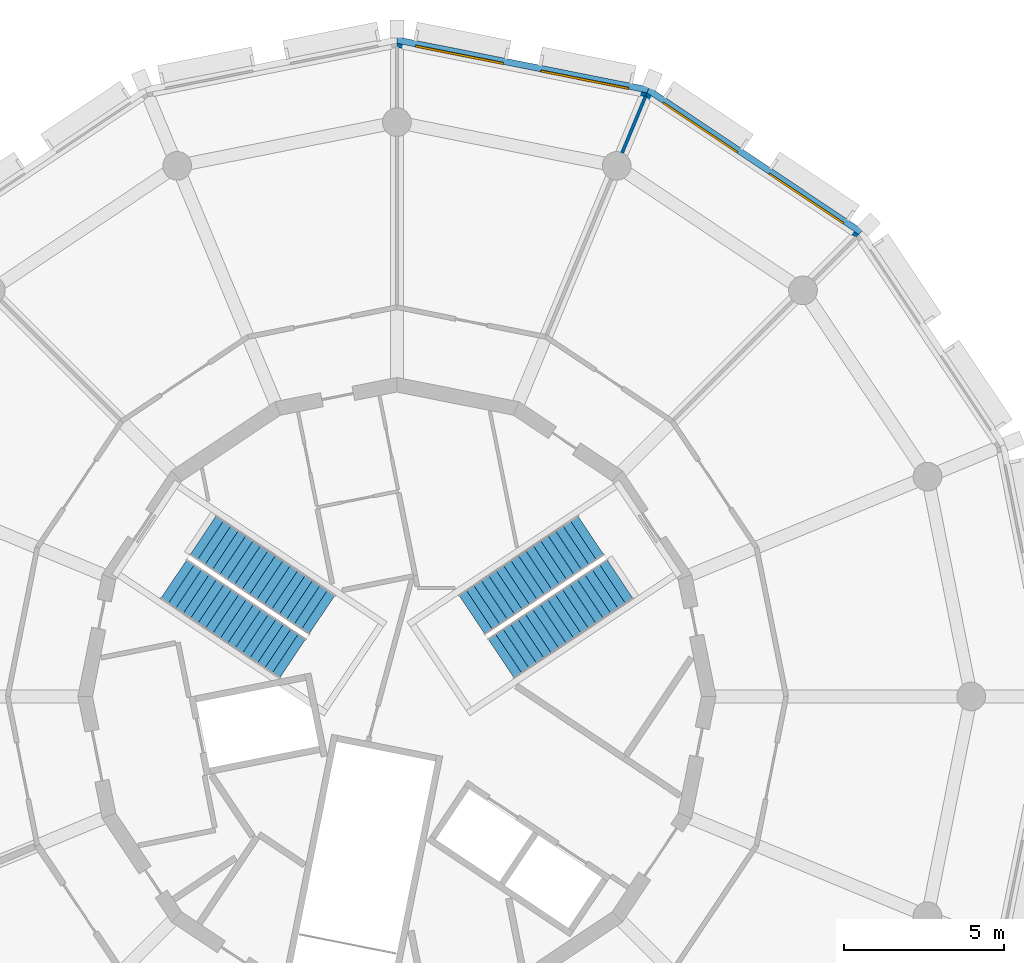
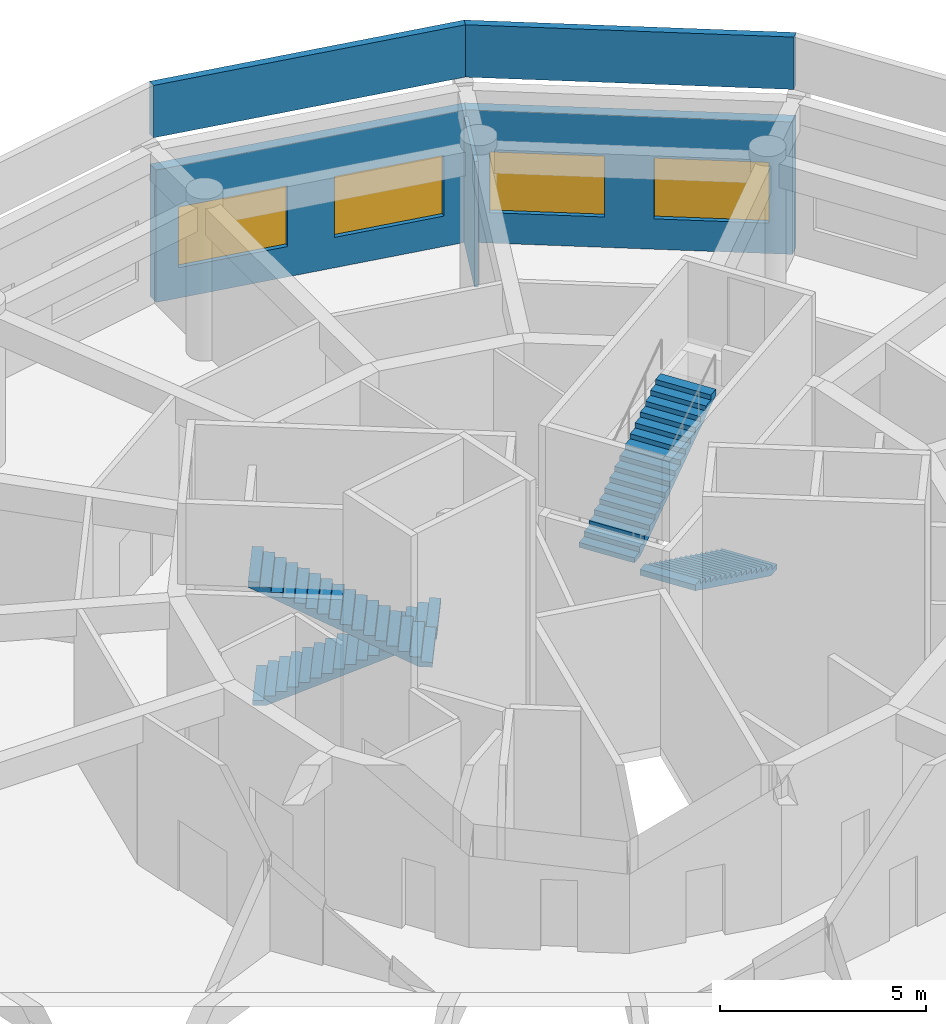
# One storey, part 7 of 8: 5 walls, 4 stair flights, 4 windows, 4 openings, 2 elements without a shape of their own.
"""IFC4 building model written with IfcOpenShell, lengths in metres."""

from ifc_helpers import new_model, si_unit, direction, frame, frame_2d, origin, place, context, subcontext, project, spatial, polyline, rectangle, outline, extrude, material, layer, layer_set, type_object, element, fill, aggregate, save


model = new_model("IFC4")

# Units and contexts
model_context = context("Model", 3, precision=1e-05, world=origin(), true_north=direction((0.0, 1.0)))
body_context = subcontext(model_context, "Body", "Model", "MODEL_VIEW")
ifc_project = project(units=[si_unit("LENGTHUNIT", "METRE"), si_unit("AREAUNIT", "SQUARE_METRE"), si_unit("VOLUMEUNIT", "CUBIC_METRE"), si_unit("PLANEANGLEUNIT", "RADIAN"), si_unit("MASSUNIT", "GRAM", prefix="KILO")], contexts=[model_context])

# Site, building, storey
site_placement = place(None, origin())
site = spatial("IfcSite", under=ifc_project, at=site_placement, CompositionType="ELEMENT")
building_placement = place(site_placement, origin())
building = spatial("IfcBuilding", under=site, at=building_placement, Name="Ceibo Conservatory and Research Tower", CompositionType="ELEMENT")
storey_placement = place(building_placement, frame((0.0, 0.0, 20.39990234375)))
storey = spatial("IfcBuildingStorey", under=building, at=storey_placement, Name="L04", CompositionType="ELEMENT", Elevation=20.39990234375)

# Wall, openings, windows
ifc_material_1 = material(Name="Ceramic mosaic tessera")
ifc_layer_1 = layer(ifc_material_1, 0.010009765625, Name="Ceramic mosaic")
ifc_material_2 = material(Name="Polymer-modified bedding mortar")
ifc_layer_2 = layer(ifc_material_2, 0.014892578125, Name="Bedding mortar")
ifc_material_3 = material(Name="Mineral wool insulation")
ifc_layer_3 = layer(ifc_material_3, 0.050048828125, Name="Insulation")
ifc_material_4 = material(Name="Concrete C30/37", Category="concrete")
ifc_layer_4 = layer(ifc_material_4, 0.215087890625, Name="Reinforced concrete leaf")
ifc_material_5 = material(Name="Gypsum plaster")
ifc_layer_5 = layer(ifc_material_5, 0.010009765625, Name="Internal plaster")
ifc_layer_set_1 = layer_set([ifc_layer_1, ifc_layer_2, ifc_layer_3, ifc_layer_4, ifc_layer_5], Name="Concrete C30/37")
wall_type_1 = type_object("IfcWallType", Name="Facade panel wall 300", PredefinedType="SOLIDWALL", material=ifc_layer_set_1)
wall_1_placement = place(storey_placement, frame((62.49560546875, 134.49560546875, 0.0), z_axis=(0.0, 0.0, 1.0), x_axis=(-0.831467557637, 0.555573308032, 0.0)))
wall_1 = element("IfcWall", 1, at=wall_1_placement, inside=storey, type_object=wall_type_1, Name="Facade wall L04 facet 3", PredefinedType="SOLIDWALL", context=body_context, shape_type="SweptSolid", body=[
    extrude(outline(polyline([(-0.02978515625, -0.14990234375), (8.028564453125, -0.14990234375), (7.968994140625, 0.14990234375), (0.02978515625, 0.14990234375), (-0.02978515625, -0.14990234375)])), origin(), (0.0, 0.0, 1.0), 3.920166015625),
])
opening_1_placement = place(wall_1_placement, frame((0.599609375, 0.0, 0.89990234375)))
opening_1 = element("IfcOpeningElement", 2, at=opening_1_placement, cuts=wall_1, Name="Opening PW2", PredefinedType="OPENING", context=body_context, shape_type="SweptSolid", body=[
    extrude(rectangle(XDim=2.800048828125, YDim=1.800048828125, at=frame_2d((1.39990234375, 0.89990234375))), frame((0.0, 0.159912109375, 0.0), z_axis=(0.0, -1.0, 0.0), x_axis=(1.0, 0.0, 0.0)), (0.0, 0.0, 1.0), 0.320068359375),
])
opening_2_placement = place(wall_1_placement, frame((4.59912109375, 0.0, 0.89990234375)))
opening_2 = element("IfcOpeningElement", 3, at=opening_2_placement, cuts=wall_1, Name="Opening PW2", PredefinedType="OPENING", context=body_context, shape_type="SweptSolid", body=[
    extrude(rectangle(XDim=2.800048828125, YDim=1.800048828125, at=frame_2d((1.39990234375, 0.89990234375))), frame((0.0, 0.159912109375, 0.0), z_axis=(0.0, -1.0, 0.0), x_axis=(1.0, 0.0, 0.0)), (0.0, 0.0, 1.0), 0.320068359375),
])
ifc_material_6 = material(Name="Aluminium frame with double glazing", Category="aluminium")
window_type = type_object("IfcWindowType", Name="Punched window PW1 2800 x 1800", PartitioningType="DOUBLE_PANEL_VERTICAL", PredefinedType="WINDOW", material=ifc_material_6)
window_1_placement = place(opening_1_placement, origin())
window_1 = element("IfcWindow", 4, at=window_1_placement, inside=storey, type_object=window_type, Name="T.L04.F02.WIN.1", OverallHeight=1.800048828125, OverallWidth=2.800048828125, PartitioningType="DOUBLE_PANEL_VERTICAL", PredefinedType="WINDOW", context=body_context, shape_type="SweptSolid", body=[
    extrude(rectangle(XDim=2.800048828125, YDim=1.800048828125, at=frame_2d((1.39990234375, 0.89990234375))), frame((0.0, 0.030029296875, 0.0), z_axis=(0.0, -1.0, 0.0), x_axis=(1.0, 0.0, 0.0)), (0.0, 0.0, 1.0), 0.06005859375),
])
fill(opening_1, window_1)
window_2_placement = place(opening_2_placement, origin())
window_2 = element("IfcWindow", 5, at=window_2_placement, inside=storey, type_object=window_type, Name="T.L04.F02.WIN.2", OverallHeight=1.800048828125, OverallWidth=2.800048828125, PartitioningType="DOUBLE_PANEL_VERTICAL", PredefinedType="WINDOW", context=body_context, shape_type="SweptSolid", body=[
    extrude(rectangle(XDim=2.800048828125, YDim=1.800048828125, at=frame_2d((1.39990234375, 0.89990234375))), frame((0.0, 0.030029296875, 0.0), z_axis=(0.0, -1.0, 0.0), x_axis=(1.0, 0.0, 0.0)), (0.0, 0.0, 1.0), 0.06005859375),
])
fill(opening_2, window_2)

wall_2_placement = place(storey_placement, frame((55.844970703125, 138.939453125, 0.0), z_axis=(0.0, 0.0, 1.0), x_axis=(-0.980783242692, 0.195100566, 0.0)))
wall_2 = element("IfcWall", 6, at=wall_2_placement, inside=storey, type_object=wall_type_1, Name="Facade wall L04 facet 4", PredefinedType="SOLIDWALL", context=body_context, shape_type="SweptSolid", body=[
    extrude(outline(polyline([(-0.02978515625, -0.14990234375), (8.028564453125, -0.14990234375), (7.968994140625, 0.14990234375), (0.02978515625, 0.14990234375), (-0.02978515625, -0.14990234375)])), origin(), (0.0, 0.0, 1.0), 3.920166015625),
])
opening_3_placement = place(wall_2_placement, frame((0.599609375, 0.0, 0.89990234375)))
opening_3 = element("IfcOpeningElement", 7, at=opening_3_placement, cuts=wall_2, Name="Opening PW2", PredefinedType="OPENING", context=body_context, shape_type="SweptSolid", body=[
    extrude(rectangle(XDim=2.800048828125, YDim=1.800048828125, at=frame_2d((1.39990234375, 0.89990234375))), frame((0.0, 0.159912109375, 0.0), z_axis=(0.0, -1.0, 0.0), x_axis=(1.0, 0.0, 0.0)), (0.0, 0.0, 1.0), 0.320068359375),
])
opening_4_placement = place(wall_2_placement, frame((4.59912109375, 0.0, 0.89990234375)))
opening_4 = element("IfcOpeningElement", 8, at=opening_4_placement, cuts=wall_2, Name="Opening PW2", PredefinedType="OPENING", context=body_context, shape_type="SweptSolid", body=[
    extrude(rectangle(XDim=2.800048828125, YDim=1.800048828125, at=frame_2d((1.39990234375, 0.89990234375))), frame((0.0, 0.159912109375, 0.0), z_axis=(0.0, -1.0, 0.0), x_axis=(1.0, 0.0, 0.0)), (0.0, 0.0, 1.0), 0.320068359375),
])
window_3_placement = place(opening_3_placement, origin())
window_3 = element("IfcWindow", 9, at=window_3_placement, inside=storey, type_object=window_type, Name="T.L04.F03.WIN.1", OverallHeight=1.800048828125, OverallWidth=2.800048828125, PartitioningType="DOUBLE_PANEL_VERTICAL", PredefinedType="WINDOW", context=body_context, shape_type="SweptSolid", body=[
    extrude(rectangle(XDim=2.800048828125, YDim=1.800048828125, at=frame_2d((1.39990234375, 0.89990234375))), frame((0.0, 0.030029296875, 0.0), z_axis=(0.0, -1.0, 0.0), x_axis=(1.0, 0.0, 0.0)), (0.0, 0.0, 1.0), 0.06005859375),
])
fill(opening_3, window_3)
window_4_placement = place(opening_4_placement, origin())
window_4 = element("IfcWindow", 10, at=window_4_placement, inside=storey, type_object=window_type, Name="T.L04.F03.WIN.2", OverallHeight=1.800048828125, OverallWidth=2.800048828125, PartitioningType="DOUBLE_PANEL_VERTICAL", PredefinedType="WINDOW", context=body_context, shape_type="SweptSolid", body=[
    extrude(rectangle(XDim=2.800048828125, YDim=1.800048828125, at=frame_2d((1.39990234375, 0.89990234375))), frame((0.0, 0.030029296875, 0.0), z_axis=(0.0, -1.0, 0.0), x_axis=(1.0, 0.0, 0.0)), (0.0, 0.0, 1.0), 0.06005859375),
])
fill(opening_4, window_4)

# Walls
ifc_layer_6 = layer(ifc_material_1, 0.010009765625, Name="Ceramic mosaic")
ifc_layer_7 = layer(ifc_material_4, 0.18994140625, Name="Reinforced concrete leaf")
ifc_layer_set_2 = layer_set([ifc_layer_6, ifc_layer_7], Name="Concrete C30/37")
wall_type_2 = type_object("IfcWallType", Name="Parapet wall 200", PredefinedType="PARAPET", material=ifc_layer_set_2)
for number, where, z_axis, x_axis, name in (
    (11, (62.5498046875, 134.5498046875, 4.800048828125), (0.0, 0.0, 1.0), (-0.831469731655, 0.555570054396, 0.0), "Parapet L04 3"),
    (12, (55.874267578125, 139.01025390625, 4.800048828125), (0.0, 0.0, 1.0), (-0.980788309336, 0.195075093926, 0.0), "Parapet L04 4"),
):
    element("IfcWall", number, at=place(storey_placement, frame(where, z_axis=z_axis, x_axis=x_axis)), inside=storey, type_object=wall_type_2, Name=name, PredefinedType="PARAPET", context=body_context, shape_type="SweptSolid", body=[
        extrude(outline(polyline([(-0.019775390625, -0.10009765625), (8.04833984375, -0.10009765625), (8.0087890625, 0.10009765625), (0.019775390625, 0.10009765625), (-0.019775390625, -0.10009765625)])), origin(), (0.0, 0.0, 1.0), 1.550048828125),
    ])
ifc_material_7 = material(Name="Plasterboard on metal studs")
ifc_layer_8 = layer(ifc_material_7, 0.10009765625)
ifc_layer_set_3 = layer_set([ifc_layer_8], Name="Plasterboard on metal studs")
wall_type_3 = type_object("IfcWallType", Name="Partition 100", PredefinedType="PARTITIONING", material=ifc_layer_set_3)
wall_3_placement = place(storey_placement, frame((55.056640625, 137.036376953125, 0.0), z_axis=(0.0, 0.0, 1.0), x_axis=(0.382743417344, 0.923854683638, 0.0)))
element("IfcWall", 13, at=wall_3_placement, inside=storey, type_object=wall_type_3, Name="Partition 04.032", PredefinedType="PARTITIONING", context=body_context, shape_type="SweptSolid", body=[
    extrude(rectangle(XDim=1.927001953125, YDim=0.10009765625, at=frame_2d((0.96337890625, 0.0))), origin(), (0.0, 0.0, 1.0), 3.72021484375),
])

# Stair, stair flights
ifc_material_8 = material(Name="Concrete C35/45", Category="concrete")
stair_type = type_object("IfcStairType", Name="Escape stair 146 x 280", PredefinedType="HALF_TURN_STAIR", material=ifc_material_8)
stair_1_placement = place(storey_placement, origin())
stair_1 = element("IfcStair", 14, at=stair_1_placement, inside=storey, type_object=stair_type, Name="Escape stair ST1 04", PredefinedType="HALF_TURN_STAIR")
stair_flight_type = type_object("IfcStairFlightType", Name="Escape stair flight 146", PredefinedType="STRAIGHT", material=ifc_material_8)
stair_flight_1_placement = place(storey_placement, frame((54.991943359375, 123.6796875, 0.0), z_axis=(0.0, 0.0, 1.0), x_axis=(-0.831469612303, -0.55557023302, 0.0)))
stair_flight_1 = element("IfcStairFlight", 15, at=stair_flight_1_placement, type_object=stair_flight_type, Name="ST1 flight 1", NumberOfRisers=17, NumberOfTreads=16, PredefinedType="STRAIGHT", RiserHeight=0.145882353, TreadLength=0.28, context=body_context, shape_type="SweptSolid", body=[
    extrude(outline(polyline([(0.0, 0.0), (0.0, 0.14599609375), (0.280029296875, 0.14599609375), (0.280029296875, 0.291748046875), (0.56005859375, 0.291748046875), (0.56005859375, 0.437744140625), (0.840087890625, 0.437744140625), (0.840087890625, 0.58349609375), (1.1201171875, 0.58349609375), (1.1201171875, 0.7294921875), (1.39990234375, 0.7294921875), (1.39990234375, 0.875244140625), (1.679931640625, 0.875244140625), (1.679931640625, 1.021240234375), (1.9599609375, 1.021240234375), (1.9599609375, 1.1669921875), (2.239990234375, 1.1669921875), (2.239990234375, 1.31298828125), (2.52001953125, 1.31298828125), (2.52001953125, 1.458740234375), (2.800048828125, 1.458740234375), (2.800048828125, 1.604736328125), (3.080078125, 1.604736328125), (3.080078125, 1.75048828125), (3.360107421875, 1.75048828125), (3.360107421875, 1.896484375), (3.639892578125, 1.896484375), (3.639892578125, 2.042236328125), (3.919921875, 2.042236328125), (3.919921875, 2.188232421875), (4.199951171875, 2.188232421875), (4.199951171875, 2.334228515625), (4.47998046875, 2.334228515625), (4.47998046875, 2.47998046875), (4.47998046875, 2.1650390625), (0.324462890625, 0.0), (0.0, 0.0)])), frame((0.0, 0.75, 0.0), z_axis=(0.0, -1.0, 0.0), x_axis=(1.0, 0.0, 0.0)), (0.0, 0.0, 1.0), 1.5),
])
stair_flight_2_placement = place(storey_placement, frame((50.350341796875, 122.5625, 2.47998046875), z_axis=(0.0, 0.0, 1.0), x_axis=(0.831469612303, 0.55557023302, 0.0)))
stair_flight_2 = element("IfcStairFlight", 16, at=stair_flight_2_placement, type_object=stair_flight_type, Name="ST1 flight 2", NumberOfRisers=17, NumberOfTreads=16, PredefinedType="STRAIGHT", RiserHeight=0.145882353, TreadLength=0.28, context=body_context, shape_type="SweptSolid", body=[
    extrude(outline(polyline([(0.0, 0.0), (0.0, 0.14599609375), (0.280029296875, 0.14599609375), (0.280029296875, 0.291748046875), (0.56005859375, 0.291748046875), (0.56005859375, 0.437744140625), (0.840087890625, 0.437744140625), (0.840087890625, 0.58349609375), (1.1201171875, 0.58349609375), (1.1201171875, 0.7294921875), (1.39990234375, 0.7294921875), (1.39990234375, 0.875244140625), (1.679931640625, 0.875244140625), (1.679931640625, 1.021240234375), (1.9599609375, 1.021240234375), (1.9599609375, 1.1669921875), (2.239990234375, 1.1669921875), (2.239990234375, 1.31298828125), (2.52001953125, 1.31298828125), (2.52001953125, 1.458740234375), (2.800048828125, 1.458740234375), (2.800048828125, 1.604736328125), (3.080078125, 1.604736328125), (3.080078125, 1.75048828125), (3.360107421875, 1.75048828125), (3.360107421875, 1.896484375), (3.639892578125, 1.896484375), (3.639892578125, 2.042236328125), (3.919921875, 2.042236328125), (3.919921875, 2.188232421875), (4.199951171875, 2.188232421875), (4.199951171875, 2.334228515625), (4.47998046875, 2.334228515625), (4.47998046875, 2.47998046875), (4.47998046875, 2.1650390625), (0.324462890625, 0.0), (0.0, 0.0)])), frame((0.0, 0.75, 0.0), z_axis=(0.0, -1.0, 0.0), x_axis=(1.0, 0.0, 0.0)), (0.0, 0.0, 1.0), 1.5),
])
aggregate(stair_1, [stair_flight_1, stair_flight_2])

stair_2_placement = place(storey_placement, origin())
stair_2 = element("IfcStair", 17, at=stair_2_placement, inside=storey, type_object=stair_type, Name="Escape stair ST2 04", PredefinedType="HALF_TURN_STAIR")
stair_flight_3_placement = place(storey_placement, frame((41.9248046875, 125.051513671875, 0.0), z_axis=(0.0, 0.0, 1.0), x_axis=(0.831469612303, -0.55557023302, 0.0)))
stair_flight_3 = element("IfcStairFlight", 18, at=stair_flight_3_placement, type_object=stair_flight_type, Name="ST2 flight 1", NumberOfRisers=17, NumberOfTreads=16, PredefinedType="STRAIGHT", RiserHeight=0.145882353, TreadLength=0.28, context=body_context, shape_type="SweptSolid", body=[
    extrude(outline(polyline([(0.0, 0.0), (0.0, 0.14599609375), (0.280029296875, 0.14599609375), (0.280029296875, 0.291748046875), (0.56005859375, 0.291748046875), (0.56005859375, 0.437744140625), (0.840087890625, 0.437744140625), (0.840087890625, 0.58349609375), (1.1201171875, 0.58349609375), (1.1201171875, 0.7294921875), (1.39990234375, 0.7294921875), (1.39990234375, 0.875244140625), (1.679931640625, 0.875244140625), (1.679931640625, 1.021240234375), (1.9599609375, 1.021240234375), (1.9599609375, 1.1669921875), (2.239990234375, 1.1669921875), (2.239990234375, 1.31298828125), (2.52001953125, 1.31298828125), (2.52001953125, 1.458740234375), (2.800048828125, 1.458740234375), (2.800048828125, 1.604736328125), (3.080078125, 1.604736328125), (3.080078125, 1.75048828125), (3.360107421875, 1.75048828125), (3.360107421875, 1.896484375), (3.639892578125, 1.896484375), (3.639892578125, 2.042236328125), (3.919921875, 2.042236328125), (3.919921875, 2.188232421875), (4.199951171875, 2.188232421875), (4.199951171875, 2.334228515625), (4.47998046875, 2.334228515625), (4.47998046875, 2.47998046875), (4.47998046875, 2.1650390625), (0.324462890625, 0.0), (0.0, 0.0)])), frame((0.0, 0.75, 0.0), z_axis=(0.0, -1.0, 0.0), x_axis=(1.0, 0.0, 0.0)), (0.0, 0.0, 1.0), 1.5),
])
stair_flight_4_placement = place(storey_placement, frame((44.733154296875, 121.190673828125, 2.47998046875), z_axis=(0.0, 0.0, 1.0), x_axis=(-0.831469612303, 0.55557023302, 0.0)))
stair_flight_4 = element("IfcStairFlight", 19, at=stair_flight_4_placement, type_object=stair_flight_type, Name="ST2 flight 2", NumberOfRisers=17, NumberOfTreads=16, PredefinedType="STRAIGHT", RiserHeight=0.145882353, TreadLength=0.28, context=body_context, shape_type="SweptSolid", body=[
    extrude(outline(polyline([(0.0, 0.0), (0.0, 0.14599609375), (0.280029296875, 0.14599609375), (0.280029296875, 0.291748046875), (0.56005859375, 0.291748046875), (0.56005859375, 0.437744140625), (0.840087890625, 0.437744140625), (0.840087890625, 0.58349609375), (1.1201171875, 0.58349609375), (1.1201171875, 0.7294921875), (1.39990234375, 0.7294921875), (1.39990234375, 0.875244140625), (1.679931640625, 0.875244140625), (1.679931640625, 1.021240234375), (1.9599609375, 1.021240234375), (1.9599609375, 1.1669921875), (2.239990234375, 1.1669921875), (2.239990234375, 1.31298828125), (2.52001953125, 1.31298828125), (2.52001953125, 1.458740234375), (2.800048828125, 1.458740234375), (2.800048828125, 1.604736328125), (3.080078125, 1.604736328125), (3.080078125, 1.75048828125), (3.360107421875, 1.75048828125), (3.360107421875, 1.896484375), (3.639892578125, 1.896484375), (3.639892578125, 2.042236328125), (3.919921875, 2.042236328125), (3.919921875, 2.188232421875), (4.199951171875, 2.188232421875), (4.199951171875, 2.334228515625), (4.47998046875, 2.334228515625), (4.47998046875, 2.47998046875), (4.47998046875, 2.1650390625), (0.324462890625, 0.0), (0.0, 0.0)])), frame((0.0, 0.75, 0.0), z_axis=(0.0, -1.0, 0.0), x_axis=(1.0, 0.0, 0.0)), (0.0, 0.0, 1.0), 1.5),
])
aggregate(stair_2, [stair_flight_3, stair_flight_4])

save(model, "model.ifc")
